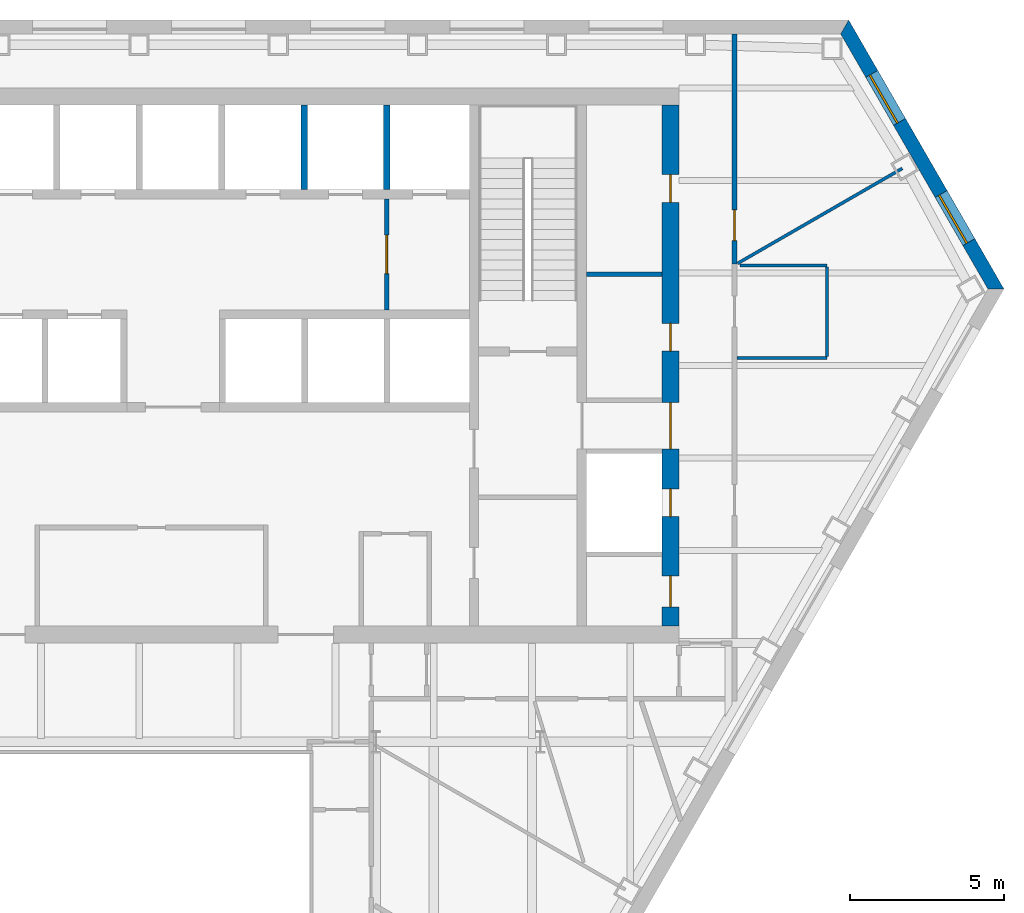
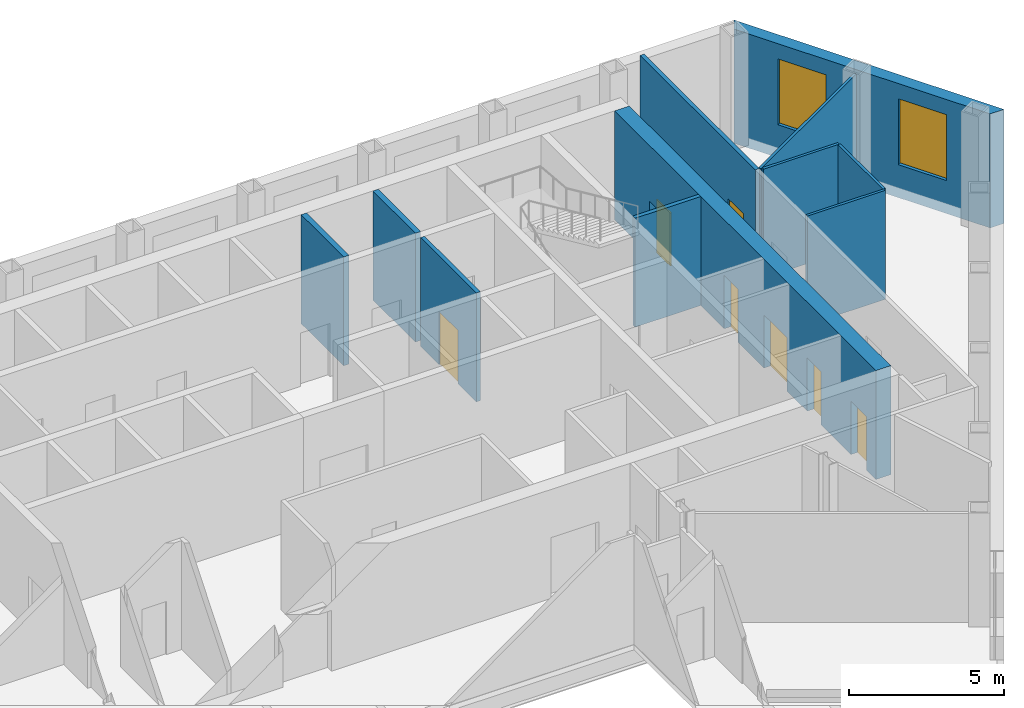
# One storey, part 8 of 11: 11 walls, 7 doors, 2 windows, 9 openings.
"""IFC4 building model written with IfcOpenShell, lengths in metres."""

from ifc_helpers import new_model, si_unit, direction, frame, frame_2d, origin, place, context, subcontext, project, spatial, polyline, rectangle, outline, extrude, material, layer, layer_set, type_object, element, fill, save


model = new_model("IFC4")

# Units and contexts
model_context = context("Model", 3, precision=1e-05, world=origin(), true_north=direction((0.0, 1.0)))
body_context = subcontext(model_context, "Body", "Model", "MODEL_VIEW")
ifc_project = project(units=[si_unit("LENGTHUNIT", "METRE"), si_unit("AREAUNIT", "SQUARE_METRE"), si_unit("VOLUMEUNIT", "CUBIC_METRE"), si_unit("PLANEANGLEUNIT", "RADIAN"), si_unit("MASSUNIT", "GRAM", prefix="KILO")], contexts=[model_context])

# Site, building, storey
site_placement = place(None, origin())
site = spatial("IfcSite", under=ifc_project, at=site_placement, CompositionType="ELEMENT")
building_placement = place(site_placement, origin())
building = spatial("IfcBuilding", under=site, at=building_placement, Name="Njiva Tower", CompositionType="ELEMENT")
storey_placement = place(building_placement, frame((0.0, 0.0, 102.3)))
storey = spatial("IfcBuildingStorey", under=building, at=storey_placement, Name="L21", CompositionType="ELEMENT", Elevation=102.3)

# Wall
ifc_material_1 = material(Name="Blockwork", Category="masonry")
ifc_layer_1 = layer(ifc_material_1, 0.15)
ifc_layer_set_1 = layer_set([ifc_layer_1], Name="Blockwork")
wall_type_1 = type_object("IfcWallType", Name="WT1 Compartment partition 150", PredefinedType="PARTITIONING", material=ifc_layer_set_1)
wall_1_placement = place(storey_placement, frame((14.5, 11.9527, 0.0), z_axis=(0.0, 0.0, 1.0), x_axis=(1.0, 0.0, 0.0)))
element("IfcWall", 1, at=wall_1_placement, inside=storey, type_object=wall_type_1, Name="Partition strip E10", PredefinedType="PARTITIONING", context=body_context, shape_type="SweptSolid", body=[
    extrude(rectangle(XDim=2.45, YDim=0.15, at=frame_2d((1.225, 0.0))), origin(), (0.0, 0.0, 1.0), 4.3),
])

# Wall, openings, doors
ifc_material_2 = material(Name="Concrete C60/75", Category="concrete")
ifc_layer_2 = layer(ifc_material_2, 0.55)
ifc_layer_set_2 = layer_set([ifc_layer_2], Name="Concrete C60/75")
wall_type_2 = type_object("IfcWallType", Name="WT14 Core wall 550", PredefinedType="SHEAR", material=ifc_layer_set_2)
wall_2_placement = place(storey_placement, frame((17.225, 0.55, 0.0), z_axis=(0.0, 0.0, 1.0), x_axis=(0.0, 1.0, 0.0)))
wall_2 = element("IfcWall", 2, at=wall_2_placement, inside=storey, type_object=wall_type_2, Name="Core wall east", PredefinedType="SHEAR", context=body_context, shape_type="SweptSolid", body=[
    extrude(rectangle(XDim=16.9, YDim=0.55, at=frame_2d((8.45, 0.0))), origin(), (0.0, 0.0, 1.0), 4.3),
])
opening_1_placement = place(wall_2_placement, frame((5.75, 0.0, 0.0)))
opening_1 = element("IfcOpeningElement", 3, at=opening_1_placement, cuts=wall_2, Name="Opening S07-D927", PredefinedType="OPENING", context=body_context, shape_type="SweptSolid", body=[
    extrude(rectangle(XDim=1.5, YDim=2.1, at=frame_2d((0.75, 1.05))), frame((0.0, 0.285, 0.0), z_axis=(0.0, -1.0, 0.0), x_axis=(1.0, 0.0, 0.0)), (0.0, 0.0, 1.0), 0.57),
])
opening_2_placement = place(wall_2_placement, frame((0.628, 0.0, 0.0)))
opening_2 = element("IfcOpeningElement", 4, at=opening_2_placement, cuts=wall_2, Name="Opening S07-D928", PredefinedType="OPENING", context=body_context, shape_type="SweptSolid", body=[
    extrude(rectangle(XDim=1.0, YDim=2.1, at=frame_2d((0.5, 1.05))), frame((0.0, 0.285, 0.0), z_axis=(0.0, -1.0, 0.0), x_axis=(1.0, 0.0, 0.0)), (0.0, 0.0, 1.0), 0.57),
])
opening_3_placement = place(wall_2_placement, frame((3.553, 0.0, 0.0)))
opening_3 = element("IfcOpeningElement", 5, at=opening_3_placement, cuts=wall_2, Name="Opening S07-D929", PredefinedType="OPENING", context=body_context, shape_type="SweptSolid", body=[
    extrude(rectangle(XDim=0.9, YDim=2.1, at=frame_2d((0.45, 1.05))), frame((0.0, 0.285, 0.0), z_axis=(0.0, -1.0, 0.0), x_axis=(1.0, 0.0, 0.0)), (0.0, 0.0, 1.0), 0.57),
])
opening_4_placement = place(wall_2_placement, frame((8.9139, 0.0, 0.0)))
opening_4 = element("IfcOpeningElement", 6, at=opening_4_placement, cuts=wall_2, Name="Opening S07-D930", PredefinedType="OPENING", context=body_context, shape_type="SweptSolid", body=[
    extrude(rectangle(XDim=0.9, YDim=2.1, at=frame_2d((0.45, 1.05))), frame((0.0, 0.285, 0.0), z_axis=(0.0, -1.0, 0.0), x_axis=(1.0, 0.0, 0.0)), (0.0, 0.0, 1.0), 0.57),
])
opening_5_placement = place(wall_2_placement, frame((13.7389, 0.0, 0.0)))
opening_5 = element("IfcOpeningElement", 7, at=opening_5_placement, cuts=wall_2, Name="Opening S07-D931", PredefinedType="OPENING", context=body_context, shape_type="SweptSolid", body=[
    extrude(rectangle(XDim=0.9, YDim=2.1, at=frame_2d((0.45, 1.05))), frame((0.0, 0.285, 0.0), z_axis=(0.0, -1.0, 0.0), x_axis=(1.0, 0.0, 0.0)), (0.0, 0.0, 1.0), 0.57),
])
ifc_material_3 = material(Name="Glazed steel fire door", Category="steel")
door_type_1 = type_object("IfcDoorType", Name="D10 Exit door double 1500x2100 glazed", OperationType="DOUBLE_DOOR_SINGLE_SWING", PredefinedType="DOOR", material=ifc_material_3)
door_1_placement = place(opening_1_placement, origin())
door_1 = element("IfcDoor", 8, at=door_1_placement, inside=storey, type_object=door_type_1, Name="Stair B corridor door", OperationType="DOUBLE_DOOR_SINGLE_SWING", OverallHeight=2.1, OverallWidth=1.5, PredefinedType="DOOR", context=body_context, shape_type="SweptSolid", body=[
    extrude(rectangle(XDim=1.5, YDim=2.1, at=frame_2d((0.75, 1.05))), frame((0.0, 0.025, 0.0), z_axis=(0.0, -1.0, 0.0), x_axis=(1.0, 0.0, 0.0)), (0.0, 0.0, 1.0), 0.05),
])
fill(opening_1, door_1)
ifc_material_4 = material(Name="Steel door, painted", Category="steel")
door_type_2 = type_object("IfcDoorType", Name="D4 Riser door 900x2100", OperationType="SINGLE_SWING_LEFT", PredefinedType="DOOR", material=ifc_material_4)
door_2_placement = place(opening_3_placement, origin())
door_2 = element("IfcDoor", 9, at=door_2_placement, inside=storey, type_object=door_type_2, Name="Riser door", OperationType="SINGLE_SWING_LEFT", OverallHeight=2.1, OverallWidth=0.9, PredefinedType="DOOR", context=body_context, shape_type="SweptSolid", body=[
    extrude(rectangle(XDim=0.9, YDim=2.1, at=frame_2d((0.45, 1.05))), frame((0.0, 0.025, 0.0), z_axis=(0.0, -1.0, 0.0), x_axis=(1.0, 0.0, 0.0)), (0.0, 0.0, 1.0), 0.05),
])
fill(opening_3, door_2)
door_type_3 = type_object("IfcDoorType", Name="D5 Steel door 1000x2100", OperationType="SINGLE_SWING_LEFT", PredefinedType="DOOR", material=ifc_material_4)
door_3_placement = place(opening_2_placement, origin())
door_3 = element("IfcDoor", 10, at=door_3_placement, inside=storey, type_object=door_type_3, Name="Telecoms room door", OperationType="SINGLE_SWING_RIGHT", OverallHeight=2.1, OverallWidth=1.0, PredefinedType="DOOR", context=body_context, shape_type="SweptSolid", body=[
    extrude(rectangle(XDim=1.0, YDim=2.1, at=frame_2d((0.5, 1.05))), frame((0.0, 0.025, 0.0), z_axis=(0.0, -1.0, 0.0), x_axis=(1.0, 0.0, 0.0)), (0.0, 0.0, 1.0), 0.05),
])
fill(opening_2, door_3)
ifc_material_5 = material(Name="Steel fire door, painted", Category="steel")
door_type_4 = type_object("IfcDoorType", Name="D6 Fire-rated door 900x2100", OperationType="SINGLE_SWING_LEFT", PredefinedType="DOOR", material=ifc_material_5)
door_4_placement = place(opening_4_placement, origin())
door_4 = element("IfcDoor", 11, at=door_4_placement, inside=storey, type_object=door_type_4, Name="Quiet room door", OperationType="SINGLE_SWING_LEFT", OverallHeight=2.1, OverallWidth=0.9, PredefinedType="DOOR", context=body_context, shape_type="SweptSolid", body=[
    extrude(rectangle(XDim=0.9, YDim=2.1, at=frame_2d((0.45, 1.05))), frame((0.0, 0.025, 0.0), z_axis=(0.0, -1.0, 0.0), x_axis=(1.0, 0.0, 0.0)), (0.0, 0.0, 1.0), 0.05),
])
fill(opening_4, door_4)
door_5_placement = place(opening_5_placement, origin())
door_5 = element("IfcDoor", 12, at=door_5_placement, inside=storey, type_object=door_type_4, Name="Prayer room door", OperationType="SINGLE_SWING_LEFT", OverallHeight=2.1, OverallWidth=0.9, PredefinedType="DOOR", context=body_context, shape_type="SweptSolid", body=[
    extrude(rectangle(XDim=0.9, YDim=2.1, at=frame_2d((0.45, 1.05))), frame((0.0, 0.025, 0.0), z_axis=(0.0, -1.0, 0.0), x_axis=(1.0, 0.0, 0.0)), (0.0, 0.0, 1.0), 0.05),
])
fill(opening_5, door_5)

# Wall, opening, door
ifc_layer_3 = layer(ifc_material_1, 0.15)
ifc_layer_set_3 = layer_set([ifc_layer_3], Name="Blockwork")
wall_type_3 = type_object("IfcWallType", Name="WT2 Lobby partition 150", PredefinedType="PARTITIONING", material=ifc_layer_set_3)
wall_3_placement = place(storey_placement, frame((8.025, 10.8, 0.0), z_axis=(0.0, 0.0, 1.0), x_axis=(0.0, 1.0, 0.0)))
wall_3 = element("IfcWall", 13, at=wall_3_placement, inside=storey, type_object=wall_type_3, Name="Firefighting lobby wall B", PredefinedType="PARTITIONING", context=body_context, shape_type="SweptSolid", body=[
    extrude(rectangle(XDim=3.6, YDim=0.15, at=frame_2d((1.8, 0.0))), origin(), (0.0, 0.0, 1.0), 4.3),
])
opening_6_placement = place(wall_3_placement, frame((1.175, 0.0, 0.0)))
opening_6 = element("IfcOpeningElement", 14, at=opening_6_placement, cuts=wall_3, Name="Opening S07-D916", PredefinedType="OPENING", context=body_context, shape_type="SweptSolid", body=[
    extrude(rectangle(XDim=1.25, YDim=2.1, at=frame_2d((0.625, 1.05))), frame((0.0, 0.085, 0.0), z_axis=(0.0, -1.0, 0.0), x_axis=(1.0, 0.0, 0.0)), (0.0, 0.0, 1.0), 0.17),
])
door_type_5 = type_object("IfcDoorType", Name="D8 Vestibule corridor door 1250x2100 glazed", OperationType="SINGLE_SWING_LEFT", PredefinedType="DOOR", material=ifc_material_3)
door_6_placement = place(opening_6_placement, origin())
door_6 = element("IfcDoor", 15, at=door_6_placement, inside=storey, type_object=door_type_5, Name="Stair vestibule corridor door", OperationType="SINGLE_SWING_LEFT", OverallHeight=2.1, OverallWidth=1.25, PredefinedType="DOOR", context=body_context, shape_type="SweptSolid", body=[
    extrude(rectangle(XDim=1.25, YDim=2.1, at=frame_2d((0.625, 1.05))), frame((0.0, 0.025, 0.0), z_axis=(0.0, -1.0, 0.0), x_axis=(1.0, 0.0, 0.0)), (0.0, 0.0, 1.0), 0.05),
])
fill(opening_6, door_6)

# Walls
ifc_material_6 = material(Name="Gypsum board on steel studs", Category="gypsum")
ifc_layer_4 = layer(ifc_material_6, 0.1)
ifc_layer_set_4 = layer_set([ifc_layer_4], Name="Gypsum board on steel studs")
wall_type_4 = type_object("IfcWallType", Name="WT20 Gypsum partition 100", PredefinedType="PARTITIONING", material=ifc_layer_set_4)
wall_4_placement = place(storey_placement, frame((19.375, 9.248, 0.0), z_axis=(0.0, 0.0, 1.0), x_axis=(1.0, 0.0, 0.0)))
element("IfcWall", 16, at=wall_4_placement, inside=storey, type_object=wall_type_4, Name="Partition S07-P032", PredefinedType="PARTITIONING", context=body_context, shape_type="SweptSolid", body=[
    extrude(rectangle(XDim=2.925, YDim=0.1, at=frame_2d((1.4625, 0.0))), origin(), (0.0, 0.0, 1.0), 4.3),
])
wall_5_placement = place(storey_placement, frame((19.4, 12.309, 0.0), z_axis=(0.0, 0.0, 1.0), x_axis=(0.866158571006, 0.499769276639, 0.0)))
element("IfcWall", 17, at=wall_5_placement, inside=storey, type_object=wall_type_4, Name="Partition S07-P033", PredefinedType="PARTITIONING", context=body_context, shape_type="SweptSolid", body=[
    extrude(rectangle(XDim=6.1628, YDim=0.1, at=frame_2d((3.0814, 0.0))), origin(), (0.0, 0.0, 1.0), 4.3),
])
wall_6_placement = place(storey_placement, frame((19.482, 12.248, 0.0), z_axis=(0.0, 0.0, 1.0), x_axis=(1.0, 0.0, 0.0)))
element("IfcWall", 18, at=wall_6_placement, inside=storey, type_object=wall_type_4, Name="Partition S07-P034", PredefinedType="PARTITIONING", context=body_context, shape_type="SweptSolid", body=[
    extrude(rectangle(XDim=2.818, YDim=0.1, at=frame_2d((1.409, 0.0))), origin(), (0.0, 0.0, 1.0), 4.3),
])
wall_7_placement = place(storey_placement, frame((22.3, 9.298, 0.0), z_axis=(0.0, 0.0, 1.0), x_axis=(0.0, 1.0, 0.0)))
element("IfcWall", 19, at=wall_7_placement, inside=storey, type_object=wall_type_4, Name="Partition S07-P035", PredefinedType="PARTITIONING", context=body_context, shape_type="SweptSolid", body=[
    extrude(rectangle(XDim=2.9, YDim=0.1, at=frame_2d((1.45, 0.0))), origin(), (0.0, 0.0, 1.0), 4.3),
])

# Wall, opening, door
ifc_layer_5 = layer(ifc_material_6, 0.15)
ifc_layer_set_5 = layer_set([ifc_layer_5], Name="Gypsum board on steel studs")
wall_type_5 = type_object("IfcWallType", Name="WT21 Compartment wall 150", PredefinedType="PARTITIONING", material=ifc_layer_set_5)
wall_8_placement = place(storey_placement, frame((19.3, 12.298, 0.0), z_axis=(0.0, 0.0, 1.0), x_axis=(0.0, 1.0, 0.0)))
wall_8 = element("IfcWall", 20, at=wall_8_placement, inside=storey, type_object=wall_type_5, Name="Partition S07-P031", PredefinedType="PARTITIONING", context=body_context, shape_type="SweptSolid", body=[
    extrude(rectangle(XDim=7.451, YDim=0.15, at=frame_2d((3.7255, 0.0))), origin(), (0.0, 0.0, 1.0), 4.3),
])
opening_7_placement = place(wall_8_placement, frame((0.75, 0.0, 0.0)))
opening_7 = element("IfcOpeningElement", 21, at=opening_7_placement, cuts=wall_8, Name="Opening S07-D021", PredefinedType="OPENING", context=body_context, shape_type="SweptSolid", body=[
    extrude(rectangle(XDim=1.0, YDim=2.1, at=frame_2d((0.5, 1.05))), frame((0.0, 0.085, 0.0), z_axis=(0.0, -1.0, 0.0), x_axis=(1.0, 0.0, 0.0)), (0.0, 0.0, 1.0), 0.17),
])
ifc_material_7 = material(Name="Steel fire door set", Category="steel")
door_type_6 = type_object("IfcDoorType", Name="D37 Fire door 1000x2100", OperationType="SINGLE_SWING_LEFT", PredefinedType="DOOR", material=ifc_material_7)
door_7_placement = place(opening_7_placement, origin())
door_7 = element("IfcDoor", 22, at=door_7_placement, inside=storey, type_object=door_type_6, Name="Door S07-D021", OperationType="SINGLE_SWING_LEFT", OverallHeight=2.1, OverallWidth=1.0, PredefinedType="DOOR", context=body_context, shape_type="SweptSolid", body=[
    extrude(rectangle(XDim=1.0, YDim=2.1, at=frame_2d((0.5, 1.05))), frame((0.0, 0.025, 0.0), z_axis=(0.0, -1.0, 0.0), x_axis=(1.0, 0.0, 0.0)), (0.0, 0.0, 1.0), 0.05),
])
fill(opening_7, door_7)

# Walls
ifc_material_8 = material(Name="Concrete C40/50", Category="concrete")
ifc_layer_6 = layer(ifc_material_8, 0.2)
ifc_layer_set_6 = layer_set([ifc_layer_6], Name="Concrete C40/50")
wall_type_6 = type_object("IfcWallType", Name="WT6 Lift shaft wall 200", PredefinedType="SHEAR", material=ifc_layer_set_6)
for number, where, z_axis, x_axis, name in (
    (23, (5.35, 14.7, 0.0), (0.0, 0.0, 1.0), (0.0, 1.0, 0.0), "Shaft wall CN6"),
    (24, (8.025, 14.7, 0.0), (0.0, 0.0, 1.0), (0.0, 1.0, 0.0), "Shaft wall CN7"),
):
    element("IfcWall", number, at=place(storey_placement, frame(where, z_axis=z_axis, x_axis=x_axis)), inside=storey, type_object=wall_type_6, Name=name, PredefinedType="SHEAR", context=body_context, shape_type="SweptSolid", body=[
        extrude(rectangle(XDim=2.75, YDim=0.2, at=frame_2d((1.375, 0.0))), origin(), (0.0, 0.0, 1.0), 4.3),
    ])

# Wall, openings, windows
ifc_material_9 = material(Name="Brick masonry, buff", Category="masonry")
ifc_layer_7 = layer(ifc_material_9, 0.45)
ifc_layer_set_7 = layer_set([ifc_layer_7], Name="Brick masonry, buff")
wall_type_7 = type_object("IfcWallType", Name="WT94 Brick pier and spandrel wall 450, buff", PredefinedType="SOLIDWALL", material=ifc_layer_set_7)
wall_9_placement = place(storey_placement, frame((27.7752, 11.4791, -0.4), z_axis=(0.0, 0.0, 1.0), x_axis=(-0.499999223869, 0.866025851883, 0.0)))
wall_9 = element("IfcWall", 25, at=wall_9_placement, inside=storey, type_object=wall_type_7, Name="Facade wall NE", PredefinedType="SOLIDWALL", context=body_context, shape_type="SweptSolid", body=[
    extrude(outline(polyline([(-0.1299, -0.225), (9.9401, -0.225), (9.6803, 0.225), (0.1299, 0.225), (-0.1299, -0.225)])), origin(), (0.0, 0.0, 1.0), 4.5),
])
opening_8_placement = place(wall_9_placement, frame((1.7569, 0.0, 1.3)))
opening_8 = element("IfcOpeningElement", 26, at=opening_8_placement, cuts=wall_9, Name="Opening S07-W33", PredefinedType="OPENING", context=body_context, shape_type="SweptSolid", body=[
    extrude(rectangle(XDim=1.8, YDim=2.6, at=frame_2d((0.9, 1.3))), frame((0.0, 0.235, 0.0), z_axis=(0.0, -1.0, 0.0), x_axis=(1.0, 0.0, 0.0)), (0.0, 0.0, 1.0), 0.47),
])
opening_9_placement = place(wall_9_placement, frame((6.2532, 0.0, 1.3)))
opening_9 = element("IfcOpeningElement", 27, at=opening_9_placement, cuts=wall_9, Name="Opening S07-W34", PredefinedType="OPENING", context=body_context, shape_type="SweptSolid", body=[
    extrude(rectangle(XDim=1.8, YDim=2.6, at=frame_2d((0.9, 1.3))), frame((0.0, 0.235, 0.0), z_axis=(0.0, -1.0, 0.0), x_axis=(1.0, 0.0, 0.0)), (0.0, 0.0, 1.0), 0.47),
])
ifc_material_10 = material(Name="Clear glazing in aluminium frame", Category="aluminium")
window_type = type_object("IfcWindowType", Name="W96 Deep-set window 1800x2600", PartitioningType="SINGLE_PANEL", PredefinedType="WINDOW", material=ifc_material_10)
window_1_placement = place(opening_8_placement, origin())
window_1 = element("IfcWindow", 28, at=window_1_placement, inside=storey, type_object=window_type, Name="Window", OverallHeight=2.6, OverallWidth=1.8, PartitioningType="SINGLE_PANEL", PredefinedType="WINDOW", context=body_context, shape_type="SweptSolid", body=[
    extrude(rectangle(XDim=1.8, YDim=2.6, at=frame_2d((0.9, 1.3))), frame((0.0, 0.105, 0.0), z_axis=(0.0, -1.0, 0.0), x_axis=(1.0, 0.0, 0.0)), (0.0, 0.0, 1.0), 0.06),
])
fill(opening_8, window_1)
window_2_placement = place(opening_9_placement, origin())
window_2 = element("IfcWindow", 29, at=window_2_placement, inside=storey, type_object=window_type, Name="Window", OverallHeight=2.6, OverallWidth=1.8, PartitioningType="SINGLE_PANEL", PredefinedType="WINDOW", context=body_context, shape_type="SweptSolid", body=[
    extrude(rectangle(XDim=1.8, YDim=2.6, at=frame_2d((0.9, 1.3))), frame((0.0, 0.105, 0.0), z_axis=(0.0, -1.0, 0.0), x_axis=(1.0, 0.0, 0.0)), (0.0, 0.0, 1.0), 0.06),
])
fill(opening_9, window_2)

save(model, "model.ifc")
